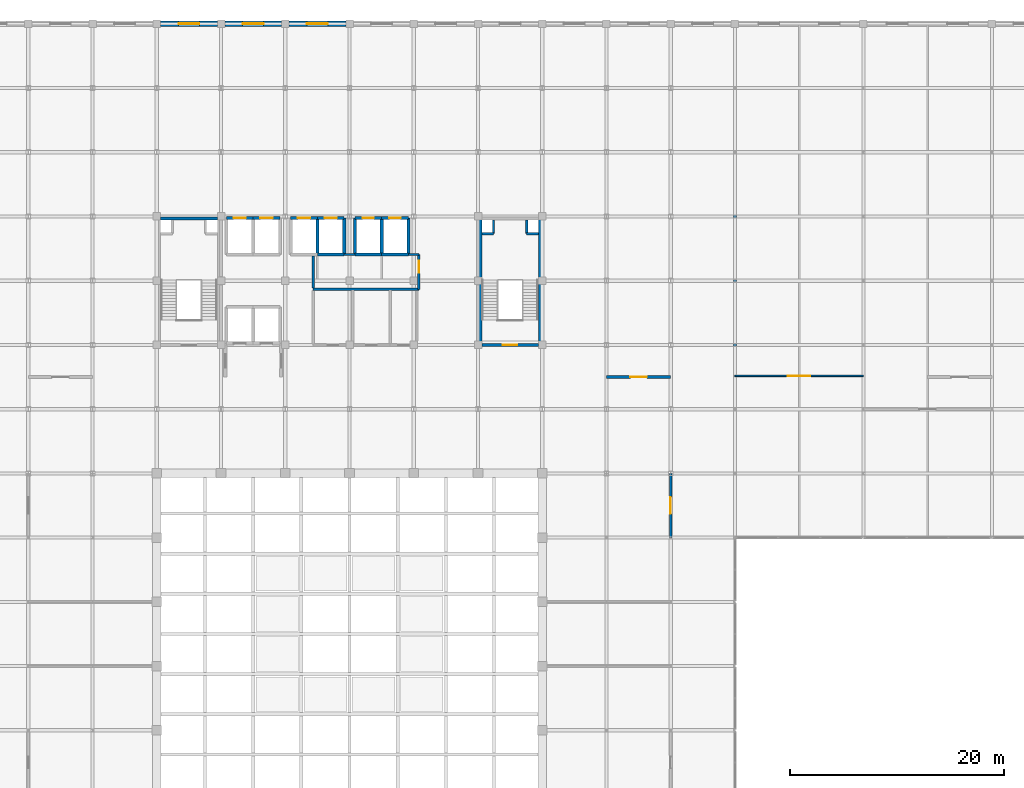
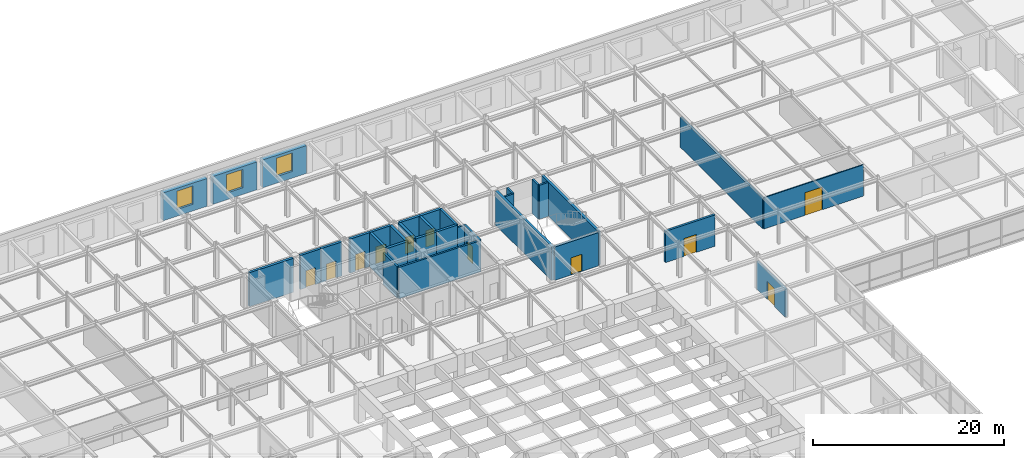
# One storey, part 106 of 111: 34 walls, 11 doors, 3 windows, 14 openings.
"""IFC4 building model written with IfcOpenShell, lengths in metres."""

from ifc_helpers import new_model, si_unit, direction, frame, frame_2d, origin, place, context, subcontext, project, spatial, rectangle, extrude, material, layer, layer_set, type_object, element, fill, save


model = new_model("IFC4")

# Units and contexts
model_context = context("Model", 3, precision=1e-05, world=origin(), true_north=direction((0.0, 1.0)))
body_context = subcontext(model_context, "Body", "Model", "MODEL_VIEW")
ifc_project = project(units=[si_unit("LENGTHUNIT", "METRE"), si_unit("AREAUNIT", "SQUARE_METRE"), si_unit("VOLUMEUNIT", "CUBIC_METRE"), si_unit("PLANEANGLEUNIT", "RADIAN"), si_unit("MASSUNIT", "GRAM", prefix="KILO")], contexts=[model_context])

# Site, building, storey
site_placement = place(None, origin())
site = spatial("IfcSite", under=ifc_project, at=site_placement, CompositionType="ELEMENT")
building_placement = place(site_placement, origin())
building = spatial("IfcBuilding", under=site, at=building_placement, Name="Zlatovratsky Civic Hall", CompositionType="ELEMENT")
storey_placement = place(building_placement, frame((0.0, 0.0, 16.5)))
storey = spatial("IfcBuildingStorey", under=building, at=storey_placement, Name="L04", CompositionType="ELEMENT", Elevation=16.5)

# Wall, opening, door
ifc_material_1 = material(Name="Acoustic ceramic blockwork", Category="masonry")
ifc_layer_1 = layer(ifc_material_1, 0.260009765625)
ifc_layer_set_1 = layer_set([ifc_layer_1], Name="Acoustic ceramic blockwork")
wall_type_1 = type_object("IfcWallType", Name="Wall_ArchiveCompartment_260", PredefinedType="PARTITIONING", material=ifc_layer_set_1)
wall_1_placement = place(storey_placement, frame((108.0, 81.0, 0.0), z_axis=(0.0, 0.0, 1.0), x_axis=(1.0, 0.0, 0.0)))
wall_1 = element("IfcWall", 1, at=wall_1_placement, inside=storey, type_object=wall_type_1, Name="WL-6232", PredefinedType="PARTITIONING", context=body_context, shape_type="SweptSolid", body=[
    extrude(rectangle(XDim=6.0, YDim=0.260009765625, at=frame_2d((3.0, 0.0))), origin(), (0.0, 0.0, 1.0), 4.0),
])
opening_1_placement = place(wall_1_placement, frame((2.22509765625, 0.0, 0.0)))
opening_1 = element("IfcOpeningElement", 2, at=opening_1_placement, cuts=wall_1, Name="Opening D-15", PredefinedType="OPENING", context=body_context, shape_type="SweptSolid", body=[
    extrude(rectangle(XDim=1.550048828125, YDim=2.300048828125, at=frame_2d((0.77490234375, 1.14990234375))), frame((0.0, 0.14501953125, 0.0), z_axis=(0.0, -1.0, 0.0), x_axis=(1.0, 0.0, 0.0)), (0.0, 0.0, 1.0), 0.289794921875),
])
ifc_material_2 = material(Name="Insulated painted fire-rated steel leaf", Category="steel")
door_type_1 = type_object("IfcDoorType", Name="Door_CompactArchiveFire_1550x2300", OperationType="DOUBLE_DOOR_SINGLE_SWING", PredefinedType="DOOR", material=ifc_material_2)
door_1_placement = place(opening_1_placement, origin())
door_1 = element("IfcDoor", 3, at=door_1_placement, inside=storey, type_object=door_type_1, Name="DR-5333", OperationType="DOUBLE_DOOR_SINGLE_SWING", OverallHeight=2.300048828125, OverallWidth=1.550048828125, PredefinedType="DOOR", context=body_context, shape_type="SweptSolid", body=[
    extrude(rectangle(XDim=1.550048828125, YDim=2.300048828125, at=frame_2d((0.77490234375, 1.14990234375))), frame((0.0, 0.02490234375, 0.0), z_axis=(0.0, -1.0, 0.0), x_axis=(1.0, 0.0, 0.0)), (0.0, 0.0, 1.0), 0.050048828125),
])
fill(opening_1, door_1)

wall_2_placement = place(storey_placement, frame((114.0, 66.0, 0.0), z_axis=(0.0, 0.0, 1.0), x_axis=(0.0, 1.0, 0.0)))
wall_2 = element("IfcWall", 4, at=wall_2_placement, inside=storey, type_object=wall_type_1, Name="WL-6237", PredefinedType="PARTITIONING", context=body_context, shape_type="SweptSolid", body=[
    extrude(rectangle(XDim=6.0, YDim=0.260009765625, at=frame_2d((3.0, 0.0))), origin(), (0.0, 0.0, 1.0), 3.56005859375),
])
opening_2_placement = place(wall_2_placement, frame((2.22509765625, 0.0, 0.0)))
opening_2 = element("IfcOpeningElement", 5, at=opening_2_placement, cuts=wall_2, Name="Opening D-15", PredefinedType="OPENING", context=body_context, shape_type="SweptSolid", body=[
    extrude(rectangle(XDim=1.550048828125, YDim=2.300048828125, at=frame_2d((0.77490234375, 1.14990234375))), frame((0.0, 0.14501953125, 0.0), z_axis=(0.0, -1.0, 0.0), x_axis=(1.0, 0.0, 0.0)), (0.0, 0.0, 1.0), 0.289794921875),
])
door_2_placement = place(opening_2_placement, origin())
door_2 = element("IfcDoor", 6, at=door_2_placement, inside=storey, type_object=door_type_1, Name="DR-5338", OperationType="DOUBLE_DOOR_SINGLE_SWING", OverallHeight=2.300048828125, OverallWidth=1.550048828125, PredefinedType="DOOR", context=body_context, shape_type="SweptSolid", body=[
    extrude(rectangle(XDim=1.550048828125, YDim=2.300048828125, at=frame_2d((0.77490234375, 1.14990234375))), frame((0.0, 0.02490234375, 0.0), z_axis=(0.0, -1.0, 0.0), x_axis=(1.0, 0.0, 0.0)), (0.0, 0.0, 1.0), 0.050048828125),
])
fill(opening_2, door_2)

# Wall
wall_3_placement = place(storey_placement, frame((120.0, 81.14990234375, 0.0), z_axis=(0.0, 0.0, 1.0), x_axis=(0.0, 1.0, 0.0)))
element("IfcWall", 7, at=wall_3_placement, inside=storey, type_object=wall_type_1, Name="WL-6242", PredefinedType="PARTITIONING", context=body_context, shape_type="SweptSolid", body=[
    extrude(rectangle(XDim=17.2001953125, YDim=0.260009765625, at=frame_2d((8.60009765625, 0.0))), origin(), (0.0, 0.0, 1.0), 3.840087890625),
])

# Wall, opening, door
ifc_material_3 = material(Name="Fire-rated gypsum board framing", Category="gypsum")
ifc_layer_2 = layer(ifc_material_3, 0.139892578125)
ifc_layer_set_2 = layer_set([ifc_layer_2], Name="Fire-rated gypsum board framing")
wall_type_2 = type_object("IfcWallType", Name="Wall_OfficePartition_140", PredefinedType="PARTITIONING", material=ifc_layer_set_2)
wall_4_placement = place(storey_placement, frame((120.0, 81.10009765625, 0.0), z_axis=(0.0, 0.0, 1.0), x_axis=(1.0, 0.0, 0.0)))
wall_4 = element("IfcWall", 8, at=wall_4_placement, inside=storey, type_object=wall_type_2, Name="WL-6225", PredefinedType="PARTITIONING", context=body_context, shape_type="SweptSolid", body=[
    extrude(rectangle(XDim=12.0, YDim=0.139892578125, at=frame_2d((6.0, 0.0))), origin(), (0.0, 0.0, 1.0), 4.0),
])
opening_3_placement = place(wall_4_placement, frame((4.949951171875, 0.0, 0.0)))
opening_3 = element("IfcOpeningElement", 9, at=opening_3_placement, cuts=wall_4, Name="Opening D-11", PredefinedType="OPENING", context=body_context, shape_type="SweptSolid", body=[
    extrude(rectangle(XDim=2.10009765625, YDim=2.89990234375, at=frame_2d((1.050048828125, 1.449951171875))), frame((0.0, 0.0849609375, 0.0), z_axis=(0.0, -1.0, 0.0), x_axis=(1.0, 0.0, 0.0)), (0.0, 0.0, 1.0), 0.169677734375),
])
ifc_material_4 = material(Name="Solid oak joinery in steel frame", Category="steel")
door_type_2 = type_object("IfcDoorType", Name="Door_ChamberFoyerDouble_2100x2900", OperationType="DOUBLE_DOOR_SINGLE_SWING", PredefinedType="DOOR", material=ifc_material_4)
door_3_placement = place(opening_3_placement, origin())
door_3 = element("IfcDoor", 10, at=door_3_placement, inside=storey, type_object=door_type_2, Name="DR-5326", OperationType="DOUBLE_DOOR_SINGLE_SWING", OverallHeight=2.89990234375, OverallWidth=2.10009765625, PredefinedType="DOOR", context=body_context, shape_type="SweptSolid", body=[
    extrude(rectangle(XDim=2.10009765625, YDim=2.89990234375, at=frame_2d((1.050048828125, 1.449951171875))), frame((0.0, 0.02490234375, 0.0), z_axis=(0.0, -1.0, 0.0), x_axis=(1.0, 0.0, 0.0)), (0.0, 0.0, 1.0), 0.050048828125),
])
fill(opening_3, door_3)

# Wall, opening, window
ifc_layer_3 = layer(ifc_material_1, 0.39990234375, Name="Backing")
ifc_material_5 = material(Name="Polished Karelian granite ashlar", Category="masonry")
ifc_layer_4 = layer(ifc_material_5, 0.139892578125, Name="Finish")
ifc_layer_set_3 = layer_set([ifc_layer_3, ifc_layer_4], Name="Acoustic ceramic blockwork")
wall_type_3 = type_object("IfcWallType", Name="Wall_PodiumGraniteArcade_540", PredefinedType="SOLIDWALL", material=ifc_layer_set_3)
wall_5_placement = place(storey_placement, frame((66.35009765625, 114.0, 0.0), z_axis=(0.0, 0.0, 1.0), x_axis=(1.0, 0.0, 0.0)))
wall_5 = element("IfcWall", 11, at=wall_5_placement, inside=storey, type_object=wall_type_3, Name="WL-0341", PredefinedType="SOLIDWALL", context=body_context, shape_type="SweptSolid", body=[
    extrude(rectangle(XDim=5.2998046875, YDim=0.5400390625, at=frame_2d((2.64990234375, 0.0))), origin(), (0.0, 0.0, 1.0), 3.550048828125),
])
opening_4_placement = place(wall_5_placement, frame((1.675048828125, 0.0, 0.85009765625)))
opening_4 = element("IfcOpeningElement", 12, at=opening_4_placement, cuts=wall_5, Name="Opening WN-11", PredefinedType="OPENING", context=body_context, shape_type="SweptSolid", body=[
    extrude(rectangle(XDim=1.949951171875, YDim=2.35009765625, at=frame_2d((0.97509765625, 1.175048828125))), frame((0.0, 0.284912109375, 0.0), z_axis=(0.0, -1.0, 0.0), x_axis=(1.0, 0.0, 0.0)), (0.0, 0.0, 1.0), 0.56982421875),
])
ifc_material_6 = material(Name="Low-E laminated double glazing", Category="glass")
window_type = type_object("IfcWindowType", Name="Window_AuditWingL04_1950x2350", PartitioningType="SINGLE_PANEL", PredefinedType="WINDOW", material=ifc_material_6)
window_1_placement = place(opening_4_placement, origin())
window_1 = element("IfcWindow", 13, at=window_1_placement, inside=storey, type_object=window_type, Name="WN-0267", OverallHeight=2.35009765625, OverallWidth=1.949951171875, PartitioningType="SINGLE_PANEL", PredefinedType="WINDOW", context=body_context, shape_type="SweptSolid", body=[
    extrude(rectangle(XDim=1.949951171875, YDim=2.35009765625, at=frame_2d((0.97509765625, 1.175048828125))), frame((0.0, 0.030029296875, 0.0), z_axis=(0.0, -1.0, 0.0), x_axis=(1.0, 0.0, 0.0)), (0.0, 0.0, 1.0), 0.06005859375),
])
fill(opening_4, window_1)

wall_6_placement = place(storey_placement, frame((72.35009765625, 114.0, 0.0), z_axis=(0.0, 0.0, 1.0), x_axis=(1.0, 0.0, 0.0)))
wall_6 = element("IfcWall", 14, at=wall_6_placement, inside=storey, type_object=wall_type_3, Name="WL-0342", PredefinedType="SOLIDWALL", context=body_context, shape_type="SweptSolid", body=[
    extrude(rectangle(XDim=5.2998046875, YDim=0.5400390625, at=frame_2d((2.64990234375, 0.0))), origin(), (0.0, 0.0, 1.0), 3.550048828125),
])
opening_5_placement = place(wall_6_placement, frame((1.675048828125, 0.0, 0.85009765625)))
opening_5 = element("IfcOpeningElement", 15, at=opening_5_placement, cuts=wall_6, Name="Opening WN-11", PredefinedType="OPENING", context=body_context, shape_type="SweptSolid", body=[
    extrude(rectangle(XDim=1.949951171875, YDim=2.35009765625, at=frame_2d((0.97509765625, 1.175048828125))), frame((0.0, 0.284912109375, 0.0), z_axis=(0.0, -1.0, 0.0), x_axis=(1.0, 0.0, 0.0)), (0.0, 0.0, 1.0), 0.56982421875),
])
window_2_placement = place(opening_5_placement, origin())
window_2 = element("IfcWindow", 16, at=window_2_placement, inside=storey, type_object=window_type, Name="WN-0268", OverallHeight=2.35009765625, OverallWidth=1.949951171875, PartitioningType="SINGLE_PANEL", PredefinedType="WINDOW", context=body_context, shape_type="SweptSolid", body=[
    extrude(rectangle(XDim=1.949951171875, YDim=2.35009765625, at=frame_2d((0.97509765625, 1.175048828125))), frame((0.0, 0.030029296875, 0.0), z_axis=(0.0, -1.0, 0.0), x_axis=(1.0, 0.0, 0.0)), (0.0, 0.0, 1.0), 0.06005859375),
])
fill(opening_5, window_2)

wall_7_placement = place(storey_placement, frame((78.35009765625, 114.0, 0.0), z_axis=(0.0, 0.0, 1.0), x_axis=(1.0, 0.0, 0.0)))
wall_7 = element("IfcWall", 17, at=wall_7_placement, inside=storey, type_object=wall_type_3, Name="WL-0343", PredefinedType="SOLIDWALL", context=body_context, shape_type="SweptSolid", body=[
    extrude(rectangle(XDim=5.2998046875, YDim=0.5400390625, at=frame_2d((2.64990234375, 0.0))), origin(), (0.0, 0.0, 1.0), 3.550048828125),
])
opening_6_placement = place(wall_7_placement, frame((1.675048828125, 0.0, 0.85009765625)))
opening_6 = element("IfcOpeningElement", 18, at=opening_6_placement, cuts=wall_7, Name="Opening WN-11", PredefinedType="OPENING", context=body_context, shape_type="SweptSolid", body=[
    extrude(rectangle(XDim=1.949951171875, YDim=2.35009765625, at=frame_2d((0.97509765625, 1.175048828125))), frame((0.0, 0.284912109375, 0.0), z_axis=(0.0, -1.0, 0.0), x_axis=(1.0, 0.0, 0.0)), (0.0, 0.0, 1.0), 0.56982421875),
])
window_3_placement = place(opening_6_placement, origin())
window_3 = element("IfcWindow", 19, at=window_3_placement, inside=storey, type_object=window_type, Name="WN-0269", OverallHeight=2.35009765625, OverallWidth=1.949951171875, PartitioningType="SINGLE_PANEL", PredefinedType="WINDOW", context=body_context, shape_type="SweptSolid", body=[
    extrude(rectangle(XDim=1.949951171875, YDim=2.35009765625, at=frame_2d((0.97509765625, 1.175048828125))), frame((0.0, 0.030029296875, 0.0), z_axis=(0.0, -1.0, 0.0), x_axis=(1.0, 0.0, 0.0)), (0.0, 0.0, 1.0), 0.06005859375),
])
fill(opening_6, window_3)

# Walls
ifc_layer_5 = layer(ifc_material_1, 0.219970703125)
ifc_layer_set_4 = layer_set([ifc_layer_5], Name="Acoustic ceramic blockwork")
wall_type_4 = type_object("IfcWallType", Name="Wall_SanitaryWetCore_220", PredefinedType="PARTITIONING", material=ifc_layer_set_4)
wall_8_placement = place(storey_placement, frame((97.449951171875, 94.39990234375, 0.0), z_axis=(0.0, 0.0, 1.0), x_axis=(0.0, 1.0, 0.0)))
element("IfcWall", 20, at=wall_8_placement, inside=storey, type_object=wall_type_4, Name="WL-5195", PredefinedType="PARTITIONING", context=body_context, shape_type="SweptSolid", body=[
    extrude(rectangle(XDim=1.25, YDim=0.219970703125, at=frame_2d((0.625, 0.0))), origin(), (0.0, 0.0, 1.0), 4.340087890625),
])
wall_9_placement = place(storey_placement, frame((96.35009765625, 94.39990234375, 0.0), z_axis=(0.0, 0.0, 1.0), x_axis=(1.0, 0.0, 0.0)))
element("IfcWall", 21, at=wall_9_placement, inside=storey, type_object=wall_type_4, Name="WL-5196", PredefinedType="PARTITIONING", context=body_context, shape_type="SweptSolid", body=[
    extrude(rectangle(XDim=1.099853515625, YDim=0.219970703125, at=frame_2d((0.5498046875, 0.0))), origin(), (0.0, 0.0, 1.0), 4.340087890625),
])
wall_10_placement = place(storey_placement, frame((100.550048828125, 94.39990234375, 0.0), z_axis=(0.0, 0.0, 1.0), x_axis=(0.0, 1.0, 0.0)))
element("IfcWall", 22, at=wall_10_placement, inside=storey, type_object=wall_type_4, Name="WL-5197", PredefinedType="PARTITIONING", context=body_context, shape_type="SweptSolid", body=[
    extrude(rectangle(XDim=1.25, YDim=0.219970703125, at=frame_2d((0.625, 0.0))), origin(), (0.0, 0.0, 1.0), 4.340087890625),
])
wall_11_placement = place(storey_placement, frame((100.550048828125, 94.39990234375, 0.0), z_axis=(0.0, 0.0, 1.0), x_axis=(1.0, 0.0, 0.0)))
element("IfcWall", 23, at=wall_11_placement, inside=storey, type_object=wall_type_4, Name="WL-5198", PredefinedType="PARTITIONING", context=body_context, shape_type="SweptSolid", body=[
    extrude(rectangle(XDim=1.099853515625, YDim=0.219970703125, at=frame_2d((0.5498046875, 0.0))), origin(), (0.0, 0.0, 1.0), 4.340087890625),
])
wall_12_placement = place(storey_placement, frame((80.60009765625, 89.199951171875, 0.0), z_axis=(0.0, 0.0, 1.0), x_axis=(1.0, 0.0, 0.0)))
element("IfcWall", 24, at=wall_12_placement, inside=storey, type_object=wall_type_4, Name="WL-6217", PredefinedType="PARTITIONING", context=body_context, shape_type="SweptSolid", body=[
    extrude(rectangle(XDim=9.869873046875, YDim=0.219970703125, at=frame_2d((4.93505859375, 0.0))), origin(), (0.0, 0.0, 1.0), 4.0),
])

# Wall, opening, door
wall_13_placement = place(storey_placement, frame((90.469970703125, 89.199951171875, 0.0), z_axis=(0.0, 0.0, 1.0), x_axis=(0.0, 1.0, 0.0)))
wall_13 = element("IfcWall", 25, at=wall_13_placement, inside=storey, type_object=wall_type_4, Name="WL-6218", PredefinedType="PARTITIONING", context=body_context, shape_type="SweptSolid", body=[
    extrude(rectangle(XDim=3.25, YDim=0.219970703125, at=frame_2d((1.625, 0.0))), origin(), (0.0, 0.0, 1.0), 4.0),
])
opening_7_placement = place(wall_13_placement, frame((1.550048828125, 0.0, 0.0)))
opening_7 = element("IfcOpeningElement", 26, at=opening_7_placement, cuts=wall_13, Name="Opening D-30", PredefinedType="OPENING", context=body_context, shape_type="SweptSolid", body=[
    extrude(rectangle(XDim=1.10009765625, YDim=2.14990234375, at=frame_2d((0.550048828125, 1.074951171875))), frame((0.0, 0.125, 0.0), z_axis=(0.0, -1.0, 0.0), x_axis=(1.0, 0.0, 0.0)), (0.0, 0.0, 1.0), 0.249755859375),
])
door_type_3 = type_object("IfcDoorType", Name="Door_ElectricalRoom_1100x2150", OperationType="NOTDEFINED", PredefinedType="DOOR", material=ifc_material_2)
door_4_placement = place(opening_7_placement, origin())
door_4 = element("IfcDoor", 27, at=door_4_placement, inside=storey, type_object=door_type_3, Name="DR-5319", OperationType="SINGLE_SWING_RIGHT", OverallHeight=2.14990234375, OverallWidth=1.10009765625, PredefinedType="DOOR", context=body_context, shape_type="SweptSolid", body=[
    extrude(rectangle(XDim=1.10009765625, YDim=2.14990234375, at=frame_2d((0.550048828125, 1.074951171875))), frame((0.0, 0.02490234375, 0.0), z_axis=(0.0, -1.0, 0.0), x_axis=(1.0, 0.0, 0.0)), (0.0, 0.0, 1.0), 0.050048828125),
])
fill(opening_7, door_4)

# Walls
wall_14_placement = place(storey_placement, frame((80.60009765625, 89.31005859375, 0.0), z_axis=(0.0, 0.0, 1.0), x_axis=(0.0, 1.0, 0.0)))
element("IfcWall", 28, at=wall_14_placement, inside=storey, type_object=wall_type_4, Name="WL-6254", PredefinedType="PARTITIONING", context=body_context, shape_type="SweptSolid", body=[
    extrude(rectangle(XDim=2.989990234375, YDim=0.219970703125, at=frame_2d((1.4951171875, 0.0))), origin(), (0.0, 0.0, 1.0), 4.0),
])
wall_15_placement = place(storey_placement, frame((83.5, 92.449951171875, 0.0), z_axis=(0.0, 0.0, 1.0), x_axis=(1.0, 0.0, 0.0)))
element("IfcWall", 29, at=wall_15_placement, inside=storey, type_object=wall_type_4, Name="WL-6255", PredefinedType="PARTITIONING", context=body_context, shape_type="SweptSolid", body=[
    extrude(rectangle(XDim=1.0, YDim=0.219970703125, at=frame_2d((0.5, 0.0))), origin(), (0.0, 0.0, 1.0), 4.0),
])
wall_16_placement = place(storey_placement, frame((89.5, 92.449951171875, 0.0), z_axis=(0.0, 0.0, 1.0), x_axis=(1.0, 0.0, 0.0)))
element("IfcWall", 30, at=wall_16_placement, inside=storey, type_object=wall_type_4, Name="WL-6256", PredefinedType="PARTITIONING", context=body_context, shape_type="SweptSolid", body=[
    extrude(rectangle(XDim=0.969970703125, YDim=0.219970703125, at=frame_2d((0.48486328125, 0.0))), origin(), (0.0, 0.0, 1.0), 4.0),
])
ifc_material_7 = material(Name="Concrete C35/45 (B40)", Category="concrete")
ifc_layer_6 = layer(ifc_material_7, 0.300048828125)
ifc_layer_set_5 = layer_set([ifc_layer_6], Name="Concrete C35/45 (B40)")
wall_type_5 = type_object("IfcWallType", Name="Wall_StairAndLiftShaft_300", PredefinedType="SHEAR", material=ifc_layer_set_5)
wall_17_placement = place(storey_placement, frame((66.35009765625, 95.800048828125, 0.0), z_axis=(0.0, 0.0, 1.0), x_axis=(1.0, 0.0, 0.0)))
element("IfcWall", 31, at=wall_17_placement, inside=storey, type_object=wall_type_5, Name="WL-5034", PredefinedType="SHEAR", context=body_context, shape_type="SweptSolid", body=[
    extrude(rectangle(XDim=5.2998046875, YDim=0.300048828125, at=frame_2d((2.64990234375, 0.0))), origin(), (0.0, 0.0, 1.0), 4.340087890625),
])

# Wall, opening, door
wall_18_placement = place(storey_placement, frame((96.35009765625, 84.0, 0.0), z_axis=(0.0, 0.0, 1.0), x_axis=(1.0, 0.0, 0.0)))
wall_18 = element("IfcWall", 32, at=wall_18_placement, inside=storey, type_object=wall_type_5, Name="WL-5191", PredefinedType="SHEAR", context=body_context, shape_type="SweptSolid", body=[
    extrude(rectangle(XDim=5.2998046875, YDim=0.300048828125, at=frame_2d((2.64990234375, 0.0))), origin(), (0.0, 0.0, 1.0), 4.260009765625),
])
opening_8_placement = place(wall_18_placement, frame((1.97509765625, 0.0, 0.0)))
opening_8 = element("IfcOpeningElement", 33, at=opening_8_placement, cuts=wall_18, Name="Opening D-17", PredefinedType="OPENING", context=body_context, shape_type="SweptSolid", body=[
    extrude(rectangle(XDim=1.35009765625, YDim=2.199951171875, at=frame_2d((0.675048828125, 1.10009765625))), frame((0.0, 0.1650390625, 0.0), z_axis=(0.0, -1.0, 0.0), x_axis=(1.0, 0.0, 0.0)), (0.0, 0.0, 1.0), 0.329833984375),
])
door_type_4 = type_object("IfcDoorType", Name="Door_StairwellFireTower_1350x2200", OperationType="NOTDEFINED", PredefinedType="DOOR", material=ifc_material_2)
door_5_placement = place(opening_8_placement, origin())
door_5 = element("IfcDoor", 34, at=door_5_placement, inside=storey, type_object=door_type_4, Name="DR-5024", OperationType="SINGLE_SWING_LEFT", OverallHeight=2.199951171875, OverallWidth=1.35009765625, PredefinedType="DOOR", context=body_context, shape_type="SweptSolid", body=[
    extrude(rectangle(XDim=1.35009765625, YDim=2.199951171875, at=frame_2d((0.675048828125, 1.10009765625))), frame((0.0, 0.02490234375, 0.0), z_axis=(0.0, -1.0, 0.0), x_axis=(1.0, 0.0, 0.0)), (0.0, 0.0, 1.0), 0.050048828125),
])
fill(opening_8, door_5)

# Walls
for number, where, z_axis, x_axis, name in (
    (35, (96.199951171875, 84.0, 0.0), (0.0, 0.0, 1.0), (0.0, 1.0, 0.0), "WL-5193"),
    (36, (101.800048828125, 84.0, 0.0), (0.0, 0.0, 1.0), (0.0, 1.0, 0.0), "WL-5194"),
):
    element("IfcWall", number, at=place(storey_placement, frame(where, z_axis=z_axis, x_axis=x_axis)), inside=storey, type_object=wall_type_5, Name=name, PredefinedType="SHEAR", context=body_context, shape_type="SweptSolid", body=[
        extrude(rectangle(XDim=11.800048828125, YDim=0.300048828125, at=frame_2d((5.89990234375, 0.0))), origin(), (0.0, 0.0, 1.0), 4.340087890625),
    ])

# Wall, opening, door
wall_19_placement = place(storey_placement, frame((72.5, 95.85009765625, 0.0), z_axis=(0.0, 0.0, 1.0), x_axis=(1.0, 0.0, 0.0)))
wall_19 = element("IfcWall", 37, at=wall_19_placement, inside=storey, type_object=wall_type_5, Name="WL-5638", PredefinedType="SHEAR", context=body_context, shape_type="SweptSolid", body=[
    extrude(rectangle(XDim=2.5, YDim=0.300048828125, at=frame_2d((1.25, 0.0))), origin(), (0.0, 0.0, 1.0), 4.340087890625),
])
opening_9_placement = place(wall_19_placement, frame((0.675048828125, 0.0, 0.0)))
opening_9 = element("IfcOpeningElement", 38, at=opening_9_placement, cuts=wall_19, Name="Opening LD-02", PredefinedType="OPENING", context=body_context, shape_type="SweptSolid", body=[
    extrude(rectangle(XDim=1.14990234375, YDim=2.14990234375, at=frame_2d((0.574951171875, 1.074951171875))), frame((0.0, 0.1650390625, 0.0), z_axis=(0.0, -1.0, 0.0), x_axis=(1.0, 0.0, 0.0)), (0.0, 0.0, 1.0), 0.329833984375),
])
ifc_material_8 = material(Name="Brushed stainless steel AISI 304", Category="steel")
door_type_5 = type_object("IfcDoorType", Name="Door_LiftLandingHighRise_1150x2150", OperationType="DOUBLE_DOOR_SLIDING", PredefinedType="DOOR", material=ifc_material_8)
door_6_placement = place(opening_9_placement, origin())
door_6 = element("IfcDoor", 39, at=door_6_placement, inside=storey, type_object=door_type_5, Name="Lift landing door LD-5101", OperationType="DOUBLE_DOOR_SLIDING", OverallHeight=2.14990234375, OverallWidth=1.14990234375, PredefinedType="DOOR", context=body_context, shape_type="SweptSolid", body=[
    extrude(rectangle(XDim=1.14990234375, YDim=2.14990234375, at=frame_2d((0.574951171875, 1.074951171875))), frame((0.0, 0.02490234375, 0.0), z_axis=(0.0, -1.0, 0.0), x_axis=(1.0, 0.0, 0.0)), (0.0, 0.0, 1.0), 0.050048828125),
])
fill(opening_9, door_6)

wall_20_placement = place(storey_placement, frame((75.0, 95.85009765625, 0.0), z_axis=(0.0, 0.0, 1.0), x_axis=(1.0, 0.0, 0.0)))
wall_20 = element("IfcWall", 40, at=wall_20_placement, inside=storey, type_object=wall_type_5, Name="WL-5699", PredefinedType="SHEAR", context=body_context, shape_type="SweptSolid", body=[
    extrude(rectangle(XDim=2.5, YDim=0.300048828125, at=frame_2d((1.25, 0.0))), origin(), (0.0, 0.0, 1.0), 4.340087890625),
])
opening_10_placement = place(wall_20_placement, frame((0.675048828125, 0.0, 0.0)))
opening_10 = element("IfcOpeningElement", 41, at=opening_10_placement, cuts=wall_20, Name="Opening LD-02", PredefinedType="OPENING", context=body_context, shape_type="SweptSolid", body=[
    extrude(rectangle(XDim=1.14990234375, YDim=2.14990234375, at=frame_2d((0.574951171875, 1.074951171875))), frame((0.0, 0.1650390625, 0.0), z_axis=(0.0, -1.0, 0.0), x_axis=(1.0, 0.0, 0.0)), (0.0, 0.0, 1.0), 0.329833984375),
])
door_7_placement = place(opening_10_placement, origin())
door_7 = element("IfcDoor", 42, at=door_7_placement, inside=storey, type_object=door_type_5, Name="Lift landing door LD-5120", OperationType="DOUBLE_DOOR_SLIDING", OverallHeight=2.14990234375, OverallWidth=1.14990234375, PredefinedType="DOOR", context=body_context, shape_type="SweptSolid", body=[
    extrude(rectangle(XDim=1.14990234375, YDim=2.14990234375, at=frame_2d((0.574951171875, 1.074951171875))), frame((0.0, 0.02490234375, 0.0), z_axis=(0.0, -1.0, 0.0), x_axis=(1.0, 0.0, 0.0)), (0.0, 0.0, 1.0), 0.050048828125),
])
fill(opening_10, door_7)

wall_21_placement = place(storey_placement, frame((78.5, 95.85009765625, 0.0), z_axis=(0.0, 0.0, 1.0), x_axis=(1.0, 0.0, 0.0)))
wall_21 = element("IfcWall", 43, at=wall_21_placement, inside=storey, type_object=wall_type_5, Name="WL-5771", PredefinedType="SHEAR", context=body_context, shape_type="SweptSolid", body=[
    extrude(rectangle(XDim=2.5, YDim=0.300048828125, at=frame_2d((1.25, 0.0))), origin(), (0.0, 0.0, 1.0), 4.340087890625),
])
opening_11_placement = place(wall_21_placement, frame((0.675048828125, 0.0, 0.0)))
opening_11 = element("IfcOpeningElement", 44, at=opening_11_placement, cuts=wall_21, Name="Opening LD-02", PredefinedType="OPENING", context=body_context, shape_type="SweptSolid", body=[
    extrude(rectangle(XDim=1.14990234375, YDim=2.14990234375, at=frame_2d((0.574951171875, 1.074951171875))), frame((0.0, 0.1650390625, 0.0), z_axis=(0.0, -1.0, 0.0), x_axis=(1.0, 0.0, 0.0)), (0.0, 0.0, 1.0), 0.329833984375),
])
door_8_placement = place(opening_11_placement, origin())
door_8 = element("IfcDoor", 45, at=door_8_placement, inside=storey, type_object=door_type_5, Name="Lift landing door LD-5139", OperationType="DOUBLE_DOOR_SLIDING", OverallHeight=2.14990234375, OverallWidth=1.14990234375, PredefinedType="DOOR", context=body_context, shape_type="SweptSolid", body=[
    extrude(rectangle(XDim=1.14990234375, YDim=2.14990234375, at=frame_2d((0.574951171875, 1.074951171875))), frame((0.0, 0.02490234375, 0.0), z_axis=(0.0, -1.0, 0.0), x_axis=(1.0, 0.0, 0.0)), (0.0, 0.0, 1.0), 0.050048828125),
])
fill(opening_11, door_8)

wall_22_placement = place(storey_placement, frame((81.0, 95.85009765625, 0.0), z_axis=(0.0, 0.0, 1.0), x_axis=(1.0, 0.0, 0.0)))
wall_22 = element("IfcWall", 46, at=wall_22_placement, inside=storey, type_object=wall_type_5, Name="WL-5832", PredefinedType="SHEAR", context=body_context, shape_type="SweptSolid", body=[
    extrude(rectangle(XDim=2.5, YDim=0.300048828125, at=frame_2d((1.25, 0.0))), origin(), (0.0, 0.0, 1.0), 4.340087890625),
])
opening_12_placement = place(wall_22_placement, frame((0.675048828125, 0.0, 0.0)))
opening_12 = element("IfcOpeningElement", 47, at=opening_12_placement, cuts=wall_22, Name="Opening LD-02", PredefinedType="OPENING", context=body_context, shape_type="SweptSolid", body=[
    extrude(rectangle(XDim=1.14990234375, YDim=2.14990234375, at=frame_2d((0.574951171875, 1.074951171875))), frame((0.0, 0.1650390625, 0.0), z_axis=(0.0, -1.0, 0.0), x_axis=(1.0, 0.0, 0.0)), (0.0, 0.0, 1.0), 0.329833984375),
])
door_9_placement = place(opening_12_placement, origin())
door_9 = element("IfcDoor", 48, at=door_9_placement, inside=storey, type_object=door_type_5, Name="Lift landing door LD-5158", OperationType="DOUBLE_DOOR_SLIDING", OverallHeight=2.14990234375, OverallWidth=1.14990234375, PredefinedType="DOOR", context=body_context, shape_type="SweptSolid", body=[
    extrude(rectangle(XDim=1.14990234375, YDim=2.14990234375, at=frame_2d((0.574951171875, 1.074951171875))), frame((0.0, 0.02490234375, 0.0), z_axis=(0.0, -1.0, 0.0), x_axis=(1.0, 0.0, 0.0)), (0.0, 0.0, 1.0), 0.050048828125),
])
fill(opening_12, door_9)

# Walls
wall_23_placement = place(storey_placement, frame((81.0, 92.449951171875, 0.0), z_axis=(0.0, 0.0, 1.0), x_axis=(1.0, 0.0, 0.0)))
element("IfcWall", 49, at=wall_23_placement, inside=storey, type_object=wall_type_5, Name="WL-5833", PredefinedType="SHEAR", context=body_context, shape_type="SweptSolid", body=[
    extrude(rectangle(XDim=2.5, YDim=0.300048828125, at=frame_2d((1.25, 0.0))), origin(), (0.0, 0.0, 1.0), 4.340087890625),
])
for number, where, z_axis, x_axis, name in (
    (50, (81.0, 92.449951171875, 0.0), (0.0, 0.0, 1.0), (0.0, 1.0, 0.0), "WL-5834"),
    (51, (83.5, 92.449951171875, 0.0), (0.0, 0.0, 1.0), (0.0, 1.0, 0.0), "WL-5835"),
):
    element("IfcWall", number, at=place(storey_placement, frame(where, z_axis=z_axis, x_axis=x_axis)), inside=storey, type_object=wall_type_5, Name=name, PredefinedType="SHEAR", context=body_context, shape_type="SweptSolid", body=[
        extrude(rectangle(XDim=3.400146484375, YDim=0.300048828125, at=frame_2d((1.7001953125, 0.0))), origin(), (0.0, 0.0, 1.0), 4.340087890625),
    ])

# Wall, opening, door
wall_24_placement = place(storey_placement, frame((84.5, 95.85009765625, 0.0), z_axis=(0.0, 0.0, 1.0), x_axis=(1.0, 0.0, 0.0)))
wall_24 = element("IfcWall", 52, at=wall_24_placement, inside=storey, type_object=wall_type_5, Name="WL-5904", PredefinedType="SHEAR", context=body_context, shape_type="SweptSolid", body=[
    extrude(rectangle(XDim=2.5, YDim=0.300048828125, at=frame_2d((1.25, 0.0))), origin(), (0.0, 0.0, 1.0), 4.340087890625),
])
opening_13_placement = place(wall_24_placement, frame((0.72509765625, 0.0, 0.0)))
opening_13 = element("IfcOpeningElement", 53, at=opening_13_placement, cuts=wall_24, Name="Opening LD-03", PredefinedType="OPENING", context=body_context, shape_type="SweptSolid", body=[
    extrude(rectangle(XDim=1.050048828125, YDim=2.10009765625, at=frame_2d((0.52490234375, 1.050048828125))), frame((0.0, 0.1650390625, 0.0), z_axis=(0.0, -1.0, 0.0), x_axis=(1.0, 0.0, 0.0)), (0.0, 0.0, 1.0), 0.329833984375),
])
door_type_6 = type_object("IfcDoorType", Name="Door_LiftLandingMidRise_1050x2100", OperationType="DOUBLE_DOOR_SLIDING", PredefinedType="DOOR", material=ifc_material_8)
door_10_placement = place(opening_13_placement, origin())
door_10 = element("IfcDoor", 54, at=door_10_placement, inside=storey, type_object=door_type_6, Name="Lift landing door LD-5177", OperationType="DOUBLE_DOOR_SLIDING", OverallHeight=2.10009765625, OverallWidth=1.050048828125, PredefinedType="DOOR", context=body_context, shape_type="SweptSolid", body=[
    extrude(rectangle(XDim=1.050048828125, YDim=2.10009765625, at=frame_2d((0.52490234375, 1.050048828125))), frame((0.0, 0.02490234375, 0.0), z_axis=(0.0, -1.0, 0.0), x_axis=(1.0, 0.0, 0.0)), (0.0, 0.0, 1.0), 0.050048828125),
])
fill(opening_13, door_10)

# Walls
wall_25_placement = place(storey_placement, frame((84.5, 92.449951171875, 0.0), z_axis=(0.0, 0.0, 1.0), x_axis=(1.0, 0.0, 0.0)))
element("IfcWall", 55, at=wall_25_placement, inside=storey, type_object=wall_type_5, Name="WL-5905", PredefinedType="SHEAR", context=body_context, shape_type="SweptSolid", body=[
    extrude(rectangle(XDim=2.5, YDim=0.300048828125, at=frame_2d((1.25, 0.0))), origin(), (0.0, 0.0, 1.0), 4.340087890625),
])
wall_26_placement = place(storey_placement, frame((84.5, 92.449951171875, 0.0), z_axis=(0.0, 0.0, 1.0), x_axis=(0.0, 1.0, 0.0)))
element("IfcWall", 56, at=wall_26_placement, inside=storey, type_object=wall_type_5, Name="WL-5906", PredefinedType="SHEAR", context=body_context, shape_type="SweptSolid", body=[
    extrude(rectangle(XDim=3.400146484375, YDim=0.300048828125, at=frame_2d((1.7001953125, 0.0))), origin(), (0.0, 0.0, 1.0), 4.340087890625),
])

# Wall, opening, door
wall_27_placement = place(storey_placement, frame((87.0, 95.85009765625, 0.0), z_axis=(0.0, 0.0, 1.0), x_axis=(1.0, 0.0, 0.0)))
wall_27 = element("IfcWall", 57, at=wall_27_placement, inside=storey, type_object=wall_type_5, Name="WL-5941", PredefinedType="SHEAR", context=body_context, shape_type="SweptSolid", body=[
    extrude(rectangle(XDim=2.5, YDim=0.300048828125, at=frame_2d((1.25, 0.0))), origin(), (0.0, 0.0, 1.0), 4.340087890625),
])
opening_14_placement = place(wall_27_placement, frame((0.72509765625, 0.0, 0.0)))
opening_14 = element("IfcOpeningElement", 58, at=opening_14_placement, cuts=wall_27, Name="Opening LD-03", PredefinedType="OPENING", context=body_context, shape_type="SweptSolid", body=[
    extrude(rectangle(XDim=1.050048828125, YDim=2.10009765625, at=frame_2d((0.52490234375, 1.050048828125))), frame((0.0, 0.1650390625, 0.0), z_axis=(0.0, -1.0, 0.0), x_axis=(1.0, 0.0, 0.0)), (0.0, 0.0, 1.0), 0.329833984375),
])
door_11_placement = place(opening_14_placement, origin())
door_11 = element("IfcDoor", 59, at=door_11_placement, inside=storey, type_object=door_type_6, Name="Lift landing door LD-5188", OperationType="DOUBLE_DOOR_SLIDING", OverallHeight=2.10009765625, OverallWidth=1.050048828125, PredefinedType="DOOR", context=body_context, shape_type="SweptSolid", body=[
    extrude(rectangle(XDim=1.050048828125, YDim=2.10009765625, at=frame_2d((0.52490234375, 1.050048828125))), frame((0.0, 0.02490234375, 0.0), z_axis=(0.0, -1.0, 0.0), x_axis=(1.0, 0.0, 0.0)), (0.0, 0.0, 1.0), 0.050048828125),
])
fill(opening_14, door_11)

# Walls
wall_28_placement = place(storey_placement, frame((87.0, 92.449951171875, 0.0), z_axis=(0.0, 0.0, 1.0), x_axis=(1.0, 0.0, 0.0)))
element("IfcWall", 60, at=wall_28_placement, inside=storey, type_object=wall_type_5, Name="WL-5942", PredefinedType="SHEAR", context=body_context, shape_type="SweptSolid", body=[
    extrude(rectangle(XDim=2.5, YDim=0.300048828125, at=frame_2d((1.25, 0.0))), origin(), (0.0, 0.0, 1.0), 4.340087890625),
])
for number, where, z_axis, x_axis, name in (
    (61, (87.0, 92.449951171875, 0.0), (0.0, 0.0, 1.0), (0.0, 1.0, 0.0), "WL-5943"),
    (62, (89.5, 92.449951171875, 0.0), (0.0, 0.0, 1.0), (0.0, 1.0, 0.0), "WL-5944"),
):
    element("IfcWall", number, at=place(storey_placement, frame(where, z_axis=z_axis, x_axis=x_axis)), inside=storey, type_object=wall_type_5, Name=name, PredefinedType="SHEAR", context=body_context, shape_type="SweptSolid", body=[
        extrude(rectangle(XDim=3.400146484375, YDim=0.300048828125, at=frame_2d((1.7001953125, 0.0))), origin(), (0.0, 0.0, 1.0), 4.340087890625),
    ])

save(model, "model.ifc")
